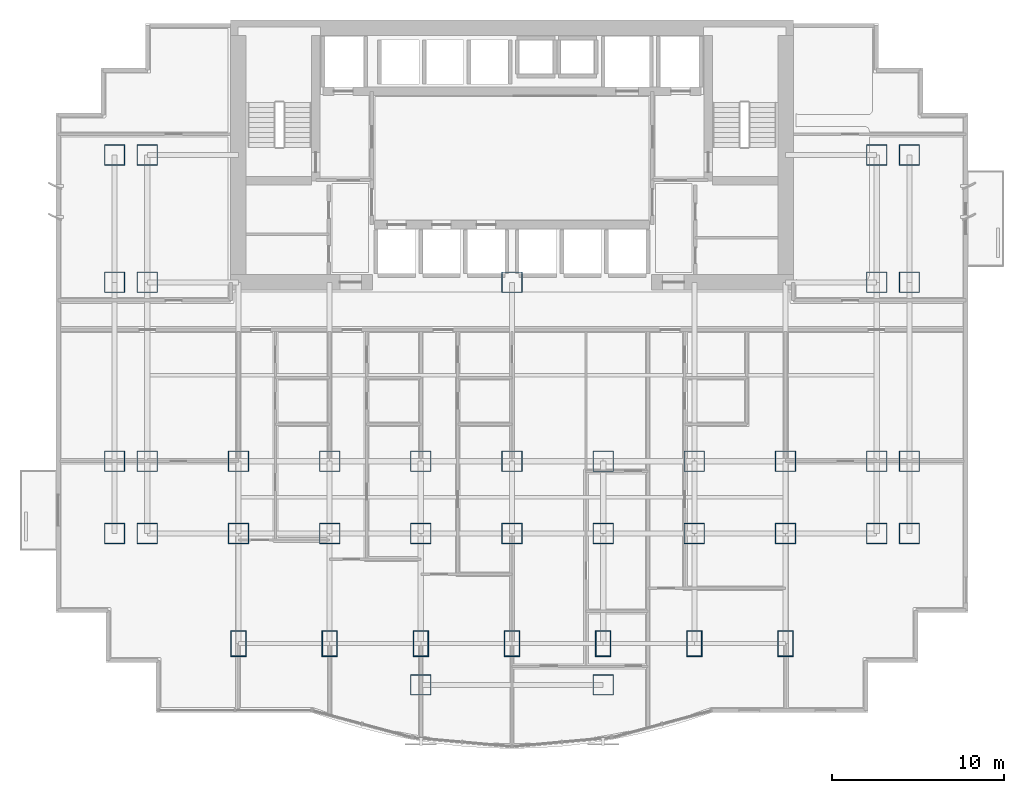
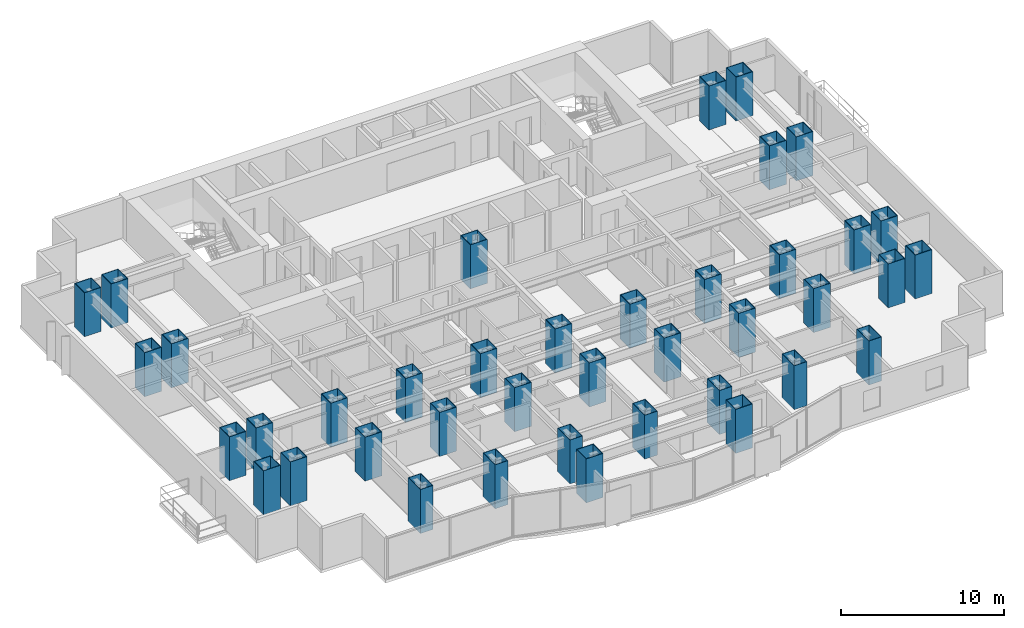
# One storey, part 1 of 10: 40 columns.
"""IFC4 building model written with IfcOpenShell, lengths in metres."""

from ifc_helpers import new_model, si_unit, direction, frame, origin, origin_2d, place, context, subcontext, project, spatial, hollow_rectangle, extrude, material, material_profile, profile_set, type_object, element, save


model = new_model("IFC4")

# Units and contexts
model_context = context("Model", 3, precision=1e-05, world=origin(), true_north=direction((0.0, 1.0)))
body_context = subcontext(model_context, "Body", "Model", "MODEL_VIEW")
ifc_project = project(units=[si_unit("LENGTHUNIT", "METRE"), si_unit("AREAUNIT", "SQUARE_METRE"), si_unit("VOLUMEUNIT", "CUBIC_METRE"), si_unit("PLANEANGLEUNIT", "RADIAN"), si_unit("MASSUNIT", "GRAM", prefix="KILO")], contexts=[model_context])

# Site, building, storey
site_placement = place(None, origin())
site = spatial("IfcSite", under=ifc_project, at=site_placement, CompositionType="ELEMENT")
building_placement = place(site_placement, origin())
building = spatial("IfcBuilding", under=site, at=building_placement, Name="Qianlan Lanfeng Residences", CompositionType="ELEMENT")
storey_placement = place(building_placement, frame((0.0, 0.0, 37.39990234375)))
storey = spatial("IfcBuildingStorey", under=building, at=storey_placement, Name="L09", CompositionType="ELEMENT", Elevation=37.39990234375)

# Columns
ifc_material_1 = material(Name="Steel SM570 (420 MPa)", Category="steel")
ifc_material_profile_1 = material_profile(ifc_material_1, hollow_rectangle(XDim=1.199951171875, YDim=1.199951171875, WallThickness=0.0400390625, at=origin_2d()), Name="BOX 1200x1200x40")
ifc_profile_set_1 = profile_set([ifc_material_profile_1], Name="Steel SM570 (420 MPa)")
column_type_1 = type_object("IfcColumnType", Name="C-B1400", PredefinedType="COLUMN", material=ifc_profile_set_1)
for number, where, z_axis, x_axis, name in (
    (1, (26.5, 25.199951171875, 0.0), (0.0, 0.0, 1.0), (1.0, 0.0, 0.0), "L09 Structural Column CP_26.5_25.2"),
    (2, (10.60009765625, 14.800048828125, 0.0), (0.0, 0.0, 1.0), (1.0, 0.0, 0.0), "L09 Structural Column M_10.60_14.80"),
    (3, (10.60009765625, 10.60009765625, 0.0), (0.0, 0.0, 1.0), (1.0, 0.0, 0.0), "L09 Structural Column G_10.60_10.60"),
    (4, (15.89990234375, 14.800048828125, 0.0), (0.0, 0.0, 1.0), (1.0, 0.0, 0.0), "L09 Structural Column M_15.90_14.80"),
    (5, (15.89990234375, 10.60009765625, 0.0), (0.0, 0.0, 1.0), (1.0, 0.0, 0.0), "L09 Structural Column G_15.90_10.60"),
    (6, (21.199951171875, 14.800048828125, 0.0), (0.0, 0.0, 1.0), (1.0, 0.0, 0.0), "L09 Structural Column M_21.20_14.80"),
    (7, (21.199951171875, 10.60009765625, 0.0), (0.0, 0.0, 1.0), (1.0, 0.0, 0.0), "L09 Structural Column G_21.20_10.60"),
    (8, (26.5, 14.800048828125, 0.0), (0.0, 0.0, 1.0), (1.0, 0.0, 0.0), "L09 Structural Column M_26.50_14.80"),
    (9, (26.5, 10.60009765625, 0.0), (0.0, 0.0, 1.0), (1.0, 0.0, 0.0), "L09 Structural Column G_26.50_10.60"),
    (10, (31.800048828125, 14.800048828125, 0.0), (0.0, 0.0, 1.0), (1.0, 0.0, 0.0), "L09 Structural Column M_31.80_14.80"),
    (11, (31.800048828125, 10.60009765625, 0.0), (0.0, 0.0, 1.0), (1.0, 0.0, 0.0), "L09 Structural Column G_31.80_10.60"),
    (12, (37.10009765625, 14.800048828125, 0.0), (0.0, 0.0, 1.0), (1.0, 0.0, 0.0), "L09 Structural Column M_37.10_14.80"),
    (13, (37.10009765625, 10.60009765625, 0.0), (0.0, 0.0, 1.0), (1.0, 0.0, 0.0), "L09 Structural Column G_37.10_10.60"),
    (14, (42.39990234375, 14.800048828125, 0.0), (0.0, 0.0, 1.0), (1.0, 0.0, 0.0), "L09 Structural Column M_42.40_14.80"),
    (15, (42.39990234375, 10.60009765625, 0.0), (0.0, 0.0, 1.0), (1.0, 0.0, 0.0), "L09 Structural Column G_42.40_10.60"),
    (16, (21.199951171875, 1.800048828125, 0.0), (0.0, 0.0, 1.0), (1.0, 0.0, 0.0), "L09 Structural Column P_21.20_1.80"),
    (17, (31.800048828125, 1.800048828125, 0.0), (0.0, 0.0, 1.0), (1.0, 0.0, 0.0), "L09 Structural Column P_31.80_1.80"),
    (18, (3.39990234375, 10.60009765625, 0.0), (0.0, 0.0, 1.0), (1.0, 0.0, 0.0), "L09 Structural Column W_3.40_10.60"),
    (19, (3.39990234375, 14.800048828125, 0.0), (0.0, 0.0, 1.0), (1.0, 0.0, 0.0), "L09 Structural Column W_3.40_14.80"),
    (20, (3.39990234375, 25.199951171875, 0.0), (0.0, 0.0, 1.0), (1.0, 0.0, 0.0), "L09 Structural Column W_3.40_25.20"),
    (21, (3.39990234375, 32.60009765625, 0.0), (0.0, 0.0, 1.0), (1.0, 0.0, 0.0), "L09 Structural Column W_3.40_32.60"),
    (22, (5.300048828125, 10.60009765625, 0.0), (0.0, 0.0, 1.0), (1.0, 0.0, 0.0), "L09 Structural Column W_5.30_10.60"),
    (23, (5.300048828125, 14.800048828125, 0.0), (0.0, 0.0, 1.0), (1.0, 0.0, 0.0), "L09 Structural Column W_5.30_14.80"),
    (24, (5.300048828125, 25.199951171875, 0.0), (0.0, 0.0, 1.0), (1.0, 0.0, 0.0), "L09 Structural Column W_5.30_25.20"),
    (25, (5.300048828125, 32.60009765625, 0.0), (0.0, 0.0, 1.0), (1.0, 0.0, 0.0), "L09 Structural Column W_5.30_32.60"),
    (26, (47.699951171875, 10.60009765625, 0.0), (0.0, 0.0, 1.0), (1.0, 0.0, 0.0), "L09 Structural Column W_47.70_10.60"),
    (27, (47.699951171875, 14.800048828125, 0.0), (0.0, 0.0, 1.0), (1.0, 0.0, 0.0), "L09 Structural Column W_47.70_14.80"),
    (28, (47.699951171875, 25.199951171875, 0.0), (0.0, 0.0, 1.0), (1.0, 0.0, 0.0), "L09 Structural Column W_47.70_25.20"),
    (29, (47.699951171875, 32.60009765625, 0.0), (0.0, 0.0, 1.0), (1.0, 0.0, 0.0), "L09 Structural Column W_47.70_32.60"),
    (30, (49.60009765625, 10.60009765625, 0.0), (0.0, 0.0, 1.0), (1.0, 0.0, 0.0), "L09 Structural Column W_49.60_10.60"),
    (31, (49.60009765625, 14.800048828125, 0.0), (0.0, 0.0, 1.0), (1.0, 0.0, 0.0), "L09 Structural Column W_49.60_14.80"),
    (32, (49.60009765625, 25.199951171875, 0.0), (0.0, 0.0, 1.0), (1.0, 0.0, 0.0), "L09 Structural Column W_49.60_25.20"),
    (33, (49.60009765625, 32.60009765625, 0.0), (0.0, 0.0, 1.0), (1.0, 0.0, 0.0), "L09 Structural Column W_49.60_32.60"),
):
    element("IfcColumn", number, at=place(storey_placement, frame(where, z_axis=z_axis, x_axis=x_axis)), inside=storey, type_object=column_type_1, Name=name, PredefinedType="COLUMN", context=body_context, shape_type="SweptSolid", body=[
        extrude(hollow_rectangle(XDim=1.199951171875, YDim=1.199951171875, WallThickness=0.0400390625, at=origin_2d()), origin(), (0.0, 0.0, 1.0), 3.300048828125),
    ])
ifc_material_2 = material(Name="Steel SN490B", Category="steel")
ifc_material_profile_2 = material_profile(ifc_material_2, hollow_rectangle(XDim=0.89990234375, YDim=1.5, WallThickness=0.035888671875, at=origin_2d()), Name="BOX 1500x900x36")
ifc_profile_set_2 = profile_set([ifc_material_profile_2], Name="Steel SN490B")
column_type_2 = type_object("IfcColumnType", Name="CE-B1250", PredefinedType="COLUMN", material=ifc_profile_set_2)
for number, where, z_axis, x_axis, name in (
    (34, (10.60009765625, 4.199951171875, 0.0), (0.0, 0.0, 1.0), (1.0, 0.0, 0.0), "L09 Structural Column S_10.60_4.20"),
    (35, (15.89990234375, 4.199951171875, 0.0), (0.0, 0.0, 1.0), (1.0, 0.0, 0.0), "L09 Structural Column S_15.90_4.20"),
    (36, (21.199951171875, 4.199951171875, 0.0), (0.0, 0.0, 1.0), (1.0, 0.0, 0.0), "L09 Structural Column S_21.20_4.20"),
    (37, (26.5, 4.199951171875, 0.0), (0.0, 0.0, 1.0), (1.0, 0.0, 0.0), "L09 Structural Column S_26.50_4.20"),
    (38, (31.800048828125, 4.199951171875, 0.0), (0.0, 0.0, 1.0), (1.0, 0.0, 0.0), "L09 Structural Column S_31.80_4.20"),
    (39, (37.10009765625, 4.199951171875, 0.0), (0.0, 0.0, 1.0), (1.0, 0.0, 0.0), "L09 Structural Column S_37.10_4.20"),
    (40, (42.39990234375, 4.199951171875, 0.0), (0.0, 0.0, 1.0), (1.0, 0.0, 0.0), "L09 Structural Column S_42.40_4.20"),
):
    element("IfcColumn", number, at=place(storey_placement, frame(where, z_axis=z_axis, x_axis=x_axis)), inside=storey, type_object=column_type_2, Name=name, PredefinedType="COLUMN", context=body_context, shape_type="SweptSolid", body=[
        extrude(hollow_rectangle(XDim=0.89990234375, YDim=1.5, WallThickness=0.035888671875, at=origin_2d()), origin(), (0.0, 0.0, 1.0), 3.300048828125),
    ])

save(model, "model.ifc")
